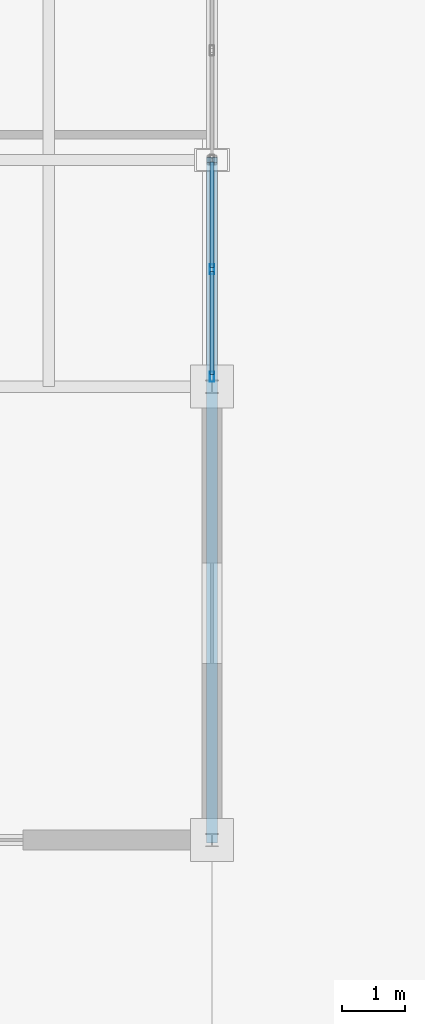
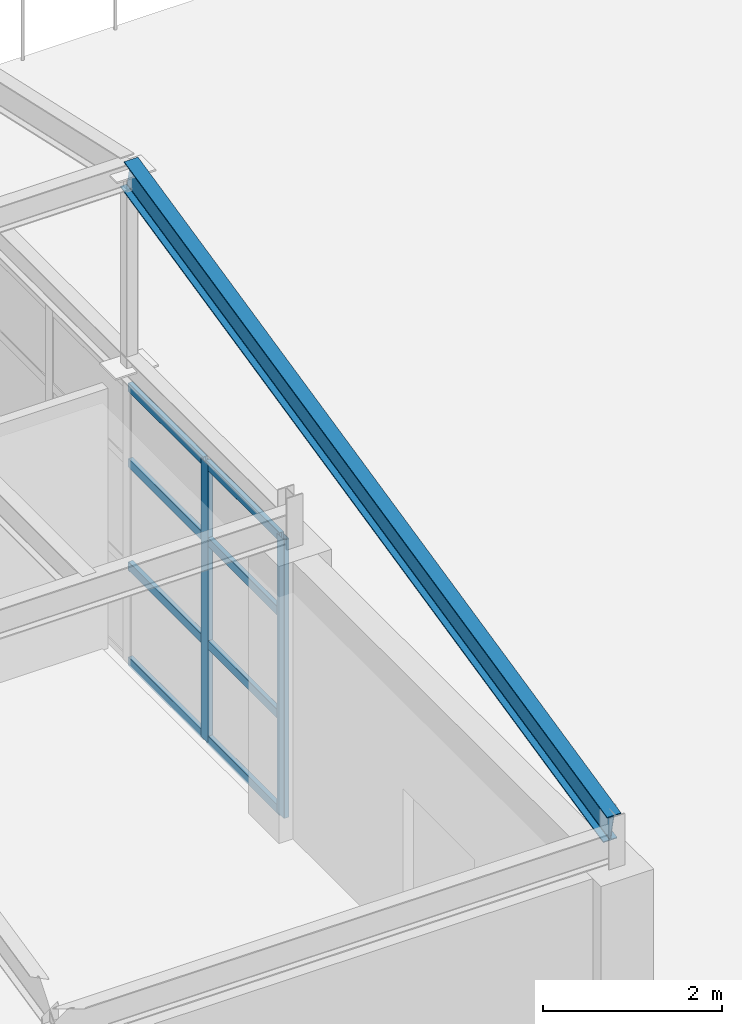
# One storey, part 78 of 101: 10 members, 1 beam, 1 element without a shape of its own.
"""IFC4 building model written with IfcOpenShell, lengths in metres."""

import ifcopenshell
import ifcopenshell.guid

model = None  # the IFC model being written
_history = None  # IfcOwnerHistory: only IFC2X3 demands one
_inside = {}  # id of a spatial element -> (the spatial element, [elements in it])
_under = {}  # id of a project, library or spatial element -> (it, [spatial elements below it])
_declared = {}  # id of a project -> (the project, [libraries it declares])
_typed = {}  # id of a type object -> (the type object, [elements of that type])
_made_of = {}  # id of a material, layer set ... -> (it, [elements and type objects made of it])


def new_model(schema):
    """Start an empty IFC model of exactly this schema.

    Asked for "IFC4X3", IfcOpenShell would pick the latest addendum, in which some entities
    have other attributes; the version numbers below select the first issue.
    IFC2X3 requires an IfcOwnerHistory on every rooted entity: one is made here for all.
    """
    global model, _history
    if schema == "IFC4X3":
        model = ifcopenshell.file(schema_version=(4, 3, 0, 0))
    else:
        model = ifcopenshell.file(schema=schema)
    _inside.clear()
    _under.clear()
    _declared.clear()
    _typed.clear()
    _made_of.clear()
    _history = None
    if model.schema == "IFC2X3":
        org = make("IfcOrganization", Name="unknown")
        user = make(
            "IfcPersonAndOrganization",
            ThePerson=make("IfcPerson", FamilyName="unknown"),
            TheOrganization=org,
        )
        app = make(
            "IfcApplication",
            ApplicationDeveloper=org,
            Version="unknown",
            ApplicationFullName="unknown",
            ApplicationIdentifier="unknown",
        )
        _history = make(
            "IfcOwnerHistory",
            OwningUser=user,
            OwningApplication=app,
            ChangeAction="ADDED",
            CreationDate=0,
        )
    return model


def make(cls, **values):
    """One entity of the class cls with the attributes given. An attribute that is None is left unset."""
    return model.create_entity(
        cls, **{name: value for name, value in values.items() if value is not None}
    )


def rooted(cls, **values):
    """An entity with a GlobalId (a new one), such as an element, a storey or a relation."""
    return make(cls, GlobalId=ifcopenshell.guid.new(), OwnerHistory=_history, **values)


def si_unit(unit_type, name, prefix=None):
    """IfcSIUnit, for example si_unit("LENGTHUNIT", "METRE", prefix="MILLI")."""
    return make("IfcSIUnit", UnitType=unit_type, Prefix=prefix, Name=name)


def assignment(units):
    """IfcUnitAssignment: the units of a project."""
    return None if units is None else make("IfcUnitAssignment", Units=units)


def point(xyz):
    """IfcCartesianPoint."""
    return None if xyz is None else make("IfcCartesianPoint", Coordinates=xyz)


def direction(xyz):
    """IfcDirection."""
    return None if xyz is None else make("IfcDirection", DirectionRatios=xyz)


def frame(location, z_axis=None, x_axis=None):
    """IfcAxis2Placement3D, a coordinate frame: its origin and axes. An axis left out is left unset."""
    return make(
        "IfcAxis2Placement3D",
        Location=point(location),
        Axis=direction(z_axis),
        RefDirection=direction(x_axis),
    )


def frame_2d(location, x_axis=None):
    """IfcAxis2Placement2D, a coordinate frame in the plane: its origin and x axis."""
    return make(
        "IfcAxis2Placement2D", Location=point(location), RefDirection=direction(x_axis)
    )


def origin():
    """The frame at (0, 0, 0) with its axes left unset."""
    return frame((0.0, 0.0, 0.0))


def origin_2d():
    """The frame at (0, 0) in the plane with its x axis left unset."""
    return frame_2d((0.0, 0.0))


def place(relative_to, where):
    """IfcLocalPlacement: puts the frame where relative to a parent placement (None: the world)."""
    return make(
        "IfcLocalPlacement", PlacementRelTo=relative_to, RelativePlacement=where
    )


def context(
    kind, dimensions, precision=None, world=None, true_north=None, identifier=None
):
    """IfcGeometricRepresentationContext, for example the 3D "Model" context."""
    return make(
        "IfcGeometricRepresentationContext",
        ContextIdentifier=identifier,
        ContextType=kind,
        CoordinateSpaceDimension=dimensions,
        Precision=precision,
        WorldCoordinateSystem=world,
        TrueNorth=true_north,
    )


def subcontext(parent, identifier, kind, view, scale=None):
    """IfcGeometricRepresentationSubContext, for example "Body" below "Model"."""
    return make(
        "IfcGeometricRepresentationSubContext",
        ContextIdentifier=identifier,
        ContextType=kind,
        ParentContext=parent,
        TargetScale=scale,
        TargetView=view,
    )


def project(units=None, contexts=None):
    """IfcProject with its units and contexts."""
    return rooted(
        "IfcProject",
        Name="project",
        RepresentationContexts=contexts,
        UnitsInContext=assignment(units),
    )


def spatial(cls, under=None, at=None, **own):
    """A site, building, storey or space (cls), placed at a placement, below another one or the project."""
    s = rooted(cls, ObjectPlacement=at, **own)
    if under is not None:
        _under.setdefault(under.id(), (under, []))[1].append(s)
    return s


def profile(cls, at=None, kind="AREA", **sizes):
    """A parametric profile (cls). Its sizes go by their IFC names, for example OverallWidth=200.0."""
    return make(cls, ProfileType=kind, Position=at, **sizes)


def hollow_rectangle(**sizes):
    """IfcRectangleHollowProfileDef."""
    return profile("IfcRectangleHollowProfileDef", **sizes)


def i_section(**sizes):
    """IfcIShapeProfileDef."""
    return profile("IfcIShapeProfileDef", **sizes)


def extrude(swept, where, along, depth):
    """IfcExtrudedAreaSolid: the profile swept, set in the frame where, extruded along a direction by depth."""
    return make(
        "IfcExtrudedAreaSolid",
        SweptArea=swept,
        Position=where,
        ExtrudedDirection=direction(along),
        Depth=depth,
    )


def shape(context_of_items, identifier, shape_type, items):
    """IfcShapeRepresentation: the items that make up one representation, for example the "Body"."""
    return make(
        "IfcShapeRepresentation",
        ContextOfItems=context_of_items,
        RepresentationIdentifier=identifier,
        RepresentationType=shape_type,
        Items=items,
    )


def material(Name=None, Category=None):
    """IfcMaterial."""
    return make("IfcMaterial", Name=Name, Category=Category)


def layer(
    of_material, thickness, ventilated=None, Name=None, Category=None, Priority=None
):
    """IfcMaterialLayer: one layer of a wall or slab, of a material (None: an air gap)."""
    return make(
        "IfcMaterialLayer",
        Material=of_material,
        LayerThickness=thickness,
        IsVentilated=ventilated,
        Name=Name,
        Category=Category,
        Priority=Priority,
    )


def layer_set(layers, Name=None):
    """IfcMaterialLayerSet."""
    return make("IfcMaterialLayerSet", MaterialLayers=layers, LayerSetName=Name)


def material_profile(
    of_material, cross_section, Name=None, Category=None, Priority=None
):
    """IfcMaterialProfile: a cross section and its material."""
    return make(
        "IfcMaterialProfile",
        Name=Name,
        Material=of_material,
        Profile=cross_section,
        Priority=Priority,
        Category=Category,
    )


def profile_set(profiles, Name=None, composite=None):
    """IfcMaterialProfileSet."""
    return make(
        "IfcMaterialProfileSet",
        Name=Name,
        MaterialProfiles=profiles,
        CompositeProfile=composite,
    )


def made_of(thing, what):
    """Note that an element or type object is made of a material, layer set ...; save() writes the relation."""
    if what is not None:
        _made_of.setdefault(what.id(), (what, []))[1].append(thing)
    return thing


def type_object(cls, material=None, **own):
    """A type object (cls), such as IfcWallType, which elements share."""
    return made_of(rooted(cls, **own), material)


def element(
    cls,
    number,
    at=None,
    inside=None,
    cuts=None,
    type_object=None,
    material=None,
    context=None,
    identifier="Body",
    shape_type=None,
    held_by="IfcProductDefinitionShape",
    body=None,
    shapes=None,
    **own,
):
    """One element of the class cls, such as IfcWall. Its Tag is "e" and its number.

    at: its placement. inside: the storey or other place that contains it. cuts: it is an
    opening in that element (IfcRelVoidsElement). A single representation is given by context,
    identifier, shape_type and body (its items); several are given by shapes. held_by: the class
    of the entity that holds the representations. save() writes the other relations.
    """
    e = rooted(cls, Tag="e%d" % number, ObjectPlacement=at, **own)
    if body is not None:
        shapes = [shape(context, identifier, shape_type, body)]
    if shapes is not None:
        e.Representation = make(held_by, Representations=shapes)
    if inside is not None:
        _inside.setdefault(inside.id(), (inside, []))[1].append(e)
    if cuts is not None:
        rooted(
            "IfcRelVoidsElement", RelatingBuildingElement=cuts, RelatedOpeningElement=e
        )
    if type_object is not None:
        _typed.setdefault(type_object.id(), (type_object, []))[1].append(e)
    return made_of(e, material)


def aggregate(whole, parts):
    """IfcRelAggregates: a whole, such as a stair, and the parts it consists of."""
    return rooted("IfcRelAggregates", RelatingObject=whole, RelatedObjects=parts)


def save(model, path):
    """Write the relations noted so far, then the file.

    IfcRelAggregates (storeys below a building ...), IfcRelContainedInSpatialStructure (elements
    in a storey), IfcRelDefinesByType, IfcRelAssociatesMaterial and IfcRelDeclares: one each for
    every whole, place, type object, material and project.
    """
    for whole, parts in _under.values():
        aggregate(whole, parts)
    for where, things in _inside.values():
        rooted(
            "IfcRelContainedInSpatialStructure",
            RelatedElements=things,
            RelatingStructure=where,
        )
    for kind, things in _typed.values():
        rooted("IfcRelDefinesByType", RelatedObjects=things, RelatingType=kind)
    for what, things in _made_of.values():
        rooted("IfcRelAssociatesMaterial", RelatedObjects=things, RelatingMaterial=what)
    for by, libraries in _declared.values():
        rooted("IfcRelDeclares", RelatingContext=by, RelatedDefinitions=libraries)
    model.write(path)


model = new_model("IFC4")

# Units and contexts
model_context = context("Model", 3, precision=1e-05, world=origin(), true_north=direction((0.0, 1.0)))
body_context = subcontext(model_context, "Body", "Model", "MODEL_VIEW")
ifc_project = project(units=[si_unit("LENGTHUNIT", "METRE"), si_unit("AREAUNIT", "SQUARE_METRE"), si_unit("VOLUMEUNIT", "CUBIC_METRE"), si_unit("PLANEANGLEUNIT", "RADIAN"), si_unit("MASSUNIT", "GRAM", prefix="KILO")], contexts=[model_context])

# Site, building, storey
site_placement = place(None, origin())
site = spatial("IfcSite", under=ifc_project, at=site_placement, CompositionType="ELEMENT")
building_placement = place(site_placement, origin())
building = spatial("IfcBuilding", under=site, at=building_placement, Name="Kemerveld Promenade Tramway Depot", CompositionType="ELEMENT")
storey_placement = place(building_placement, frame((0.0, 0.0, 9.89990234375)))
storey = spatial("IfcBuildingStorey", under=building, at=storey_placement, Name="L02", CompositionType="ELEMENT", Elevation=9.89990234375)

# Beam
ifc_material_1 = material(Name="Steel S355", Category="steel")
ifc_material_profile_1 = material_profile(ifc_material_1, i_section(OverallWidth=0.1787109375, OverallDepth=0.409423828125, WebThickness=0.0087890625, FlangeThickness=0.014404296875, FilletRadius=0.01025390625, at=origin_2d()), Name="406x178x67 UB")
ifc_profile_set_1 = profile_set([ifc_material_profile_1], Name="Steel S355")
beam_type = type_object("IfcBeamType", Name="BM-G07", PredefinedType="BEAM", material=ifc_profile_set_1)
beam_placement = place(storey_placement, frame((129.60009765625, 7.199951171875, 4.275390625), z_axis=(0.0, 0.976189137057, 0.216921111677), x_axis=(-1.0, 0.0, 0.0)))
element("IfcBeam", 1, at=beam_placement, inside=storey, type_object=beam_type, Name="RAF-V4-19-S", PredefinedType="BEAM", context=body_context, shape_type="SweptSolid", body=[
    extrude(i_section(OverallWidth=0.1787109375, OverallDepth=0.409423828125, WebThickness=0.0087890625, FlangeThickness=0.014404296875, FilletRadius=0.01025390625, at=origin_2d()), origin(), (0.0, 0.0, 1.0), 11.0634765625),
])

# Curtain wall, members
ifc_material_2 = material(Name="Bronze anodised aluminium and solar glass", Category="aluminium")
ifc_layer = layer(ifc_material_2, 0.159912109375)
ifc_layer_set = layer_set([ifc_layer], Name="CW-SYS-05")
curtain_wall_type = type_object("IfcCurtainWallType", Name="CW-SYS-05", PredefinedType="USERDEFINED", material=ifc_layer_set)
curtain_wall_placement = place(storey_placement, origin())
curtain_wall = element("IfcCurtainWall", 2, at=curtain_wall_placement, inside=storey, type_object=curtain_wall_type, Name="CW-L02-V4E-02", ObjectType="GLAZED_CURTAIN_WALL", PredefinedType="USERDEFINED")
ifc_material_3 = material(Name="Bronze anodised aluminium", Category="aluminium")
ifc_material_profile_2 = material_profile(ifc_material_3, hollow_rectangle(XDim=0.06494140625, YDim=0.159912109375, WallThickness=0.00390625, InnerFilletRadius=0.001953125, OuterFilletRadius=0.00390625, at=origin_2d()), Name="CW-MUL-160x65")
ifc_profile_set_2 = profile_set([ifc_material_profile_2], Name="Bronze anodised aluminium")
member_type_1 = type_object("IfcMemberType", Name="CW-MUL-A", PredefinedType="MULLION", material=ifc_profile_set_2)
member_1_placement = place(storey_placement, frame((129.60009765625, 16.262451171875, 0.0), z_axis=(0.0, 0.0, 1.0), x_axis=(1.0, 0.0, 0.0)))
member_1 = element("IfcMember", 3, at=member_1_placement, type_object=member_type_1, Name="CW05 mullion 4", PredefinedType="MULLION", context=body_context, shape_type="SweptSolid", body=[
    extrude(hollow_rectangle(XDim=0.06494140625, YDim=0.159912109375, WallThickness=0.00390625, InnerFilletRadius=0.001953125, OuterFilletRadius=0.00390625, at=origin_2d()), origin(), (0.0, 0.0, 1.0), 3.800048828125),
])
member_2_placement = place(storey_placement, frame((129.60009765625, 14.557373046875, 0.0), z_axis=(0.0, 0.0, 1.0), x_axis=(1.0, 0.0, 0.0)))
member_2 = element("IfcMember", 4, at=member_2_placement, type_object=member_type_1, Name="CW05 mullion 5", PredefinedType="MULLION", context=body_context, shape_type="SweptSolid", body=[
    extrude(hollow_rectangle(XDim=0.06494140625, YDim=0.159912109375, WallThickness=0.00390625, InnerFilletRadius=0.001953125, OuterFilletRadius=0.00390625, at=origin_2d()), origin(), (0.0, 0.0, 1.0), 3.800048828125),
])
ifc_material_profile_3 = material_profile(ifc_material_3, hollow_rectangle(XDim=0.06005859375, YDim=0.1201171875, WallThickness=0.00390625, InnerFilletRadius=0.001953125, OuterFilletRadius=0.00390625, at=origin_2d()), Name="CW-TRN-120x60")
ifc_profile_set_3 = profile_set([ifc_material_profile_3], Name="Bronze anodised aluminium")
member_type_2 = type_object("IfcMemberType", Name="CW-TRN-A", PredefinedType="USERDEFINED", material=ifc_profile_set_3)
member_3_placement = place(storey_placement, frame((129.60009765625, 17.967529296875, 0.030029296875), z_axis=(0.0, -1.0, 0.0), x_axis=(1.0, 0.0, 0.0)))
member_3 = element("IfcMember", 5, at=member_3_placement, type_object=member_type_2, Name="CW05 transom 3.1", ObjectType="TRANSOM", PredefinedType="USERDEFINED", context=body_context, shape_type="SweptSolid", body=[
    extrude(hollow_rectangle(XDim=0.06005859375, YDim=0.1201171875, WallThickness=0.00390625, InnerFilletRadius=0.001953125, OuterFilletRadius=0.00390625, at=origin_2d()), origin(), (0.0, 0.0, 1.0), 1.672607421875),
])
member_4_placement = place(storey_placement, frame((129.60009765625, 17.967529296875, 1.330078125), z_axis=(0.0, -1.0, 0.0), x_axis=(1.0, 0.0, 0.0)))
member_4 = element("IfcMember", 6, at=member_4_placement, type_object=member_type_2, Name="CW05 transom 3.2", ObjectType="TRANSOM", PredefinedType="USERDEFINED", context=body_context, shape_type="SweptSolid", body=[
    extrude(hollow_rectangle(XDim=0.06005859375, YDim=0.1201171875, WallThickness=0.00390625, InnerFilletRadius=0.001953125, OuterFilletRadius=0.00390625, at=origin_2d()), origin(), (0.0, 0.0, 1.0), 1.672607421875),
])
member_5_placement = place(storey_placement, frame((129.60009765625, 17.967529296875, 2.736083984375), z_axis=(0.0, -1.0, 0.0), x_axis=(1.0, 0.0, 0.0)))
member_5 = element("IfcMember", 7, at=member_5_placement, type_object=member_type_2, Name="CW05 transom 3.3", ObjectType="TRANSOM", PredefinedType="USERDEFINED", context=body_context, shape_type="SweptSolid", body=[
    extrude(hollow_rectangle(XDim=0.06005859375, YDim=0.1201171875, WallThickness=0.00390625, InnerFilletRadius=0.001953125, OuterFilletRadius=0.00390625, at=origin_2d()), origin(), (0.0, 0.0, 1.0), 1.672607421875),
])
member_6_placement = place(storey_placement, frame((129.60009765625, 17.967529296875, 3.77001953125), z_axis=(0.0, -1.0, 0.0), x_axis=(1.0, 0.0, 0.0)))
member_6 = element("IfcMember", 8, at=member_6_placement, type_object=member_type_2, Name="CW05 transom 3.4", ObjectType="TRANSOM", PredefinedType="USERDEFINED", context=body_context, shape_type="SweptSolid", body=[
    extrude(hollow_rectangle(XDim=0.06005859375, YDim=0.1201171875, WallThickness=0.00390625, InnerFilletRadius=0.001953125, OuterFilletRadius=0.00390625, at=origin_2d()), origin(), (0.0, 0.0, 1.0), 1.672607421875),
])
member_7_placement = place(storey_placement, frame((129.60009765625, 16.22998046875, 0.030029296875), z_axis=(0.0, -1.0, 0.0), x_axis=(1.0, 0.0, 0.0)))
member_7 = element("IfcMember", 9, at=member_7_placement, type_object=member_type_2, Name="CW05 transom 4.1", ObjectType="TRANSOM", PredefinedType="USERDEFINED", context=body_context, shape_type="SweptSolid", body=[
    extrude(hollow_rectangle(XDim=0.06005859375, YDim=0.1201171875, WallThickness=0.00390625, InnerFilletRadius=0.001953125, OuterFilletRadius=0.00390625, at=origin_2d()), origin(), (0.0, 0.0, 1.0), 1.64013671875),
])
member_8_placement = place(storey_placement, frame((129.60009765625, 16.22998046875, 1.330078125), z_axis=(0.0, -1.0, 0.0), x_axis=(1.0, 0.0, 0.0)))
member_8 = element("IfcMember", 10, at=member_8_placement, type_object=member_type_2, Name="CW05 transom 4.2", ObjectType="TRANSOM", PredefinedType="USERDEFINED", context=body_context, shape_type="SweptSolid", body=[
    extrude(hollow_rectangle(XDim=0.06005859375, YDim=0.1201171875, WallThickness=0.00390625, InnerFilletRadius=0.001953125, OuterFilletRadius=0.00390625, at=origin_2d()), origin(), (0.0, 0.0, 1.0), 1.64013671875),
])
member_9_placement = place(storey_placement, frame((129.60009765625, 16.22998046875, 2.736083984375), z_axis=(0.0, -1.0, 0.0), x_axis=(1.0, 0.0, 0.0)))
member_9 = element("IfcMember", 11, at=member_9_placement, type_object=member_type_2, Name="CW05 transom 4.3", ObjectType="TRANSOM", PredefinedType="USERDEFINED", context=body_context, shape_type="SweptSolid", body=[
    extrude(hollow_rectangle(XDim=0.06005859375, YDim=0.1201171875, WallThickness=0.00390625, InnerFilletRadius=0.001953125, OuterFilletRadius=0.00390625, at=origin_2d()), origin(), (0.0, 0.0, 1.0), 1.64013671875),
])
member_10_placement = place(storey_placement, frame((129.60009765625, 16.22998046875, 3.77001953125), z_axis=(0.0, -1.0, 0.0), x_axis=(1.0, 0.0, 0.0)))
member_10 = element("IfcMember", 12, at=member_10_placement, type_object=member_type_2, Name="CW05 transom 4.4", ObjectType="TRANSOM", PredefinedType="USERDEFINED", context=body_context, shape_type="SweptSolid", body=[
    extrude(hollow_rectangle(XDim=0.06005859375, YDim=0.1201171875, WallThickness=0.00390625, InnerFilletRadius=0.001953125, OuterFilletRadius=0.00390625, at=origin_2d()), origin(), (0.0, 0.0, 1.0), 1.64013671875),
])
aggregate(curtain_wall, [member_1, member_2, member_3, member_4, member_5, member_6, member_7, member_8, member_9, member_10])

save(model, "model.ifc")
